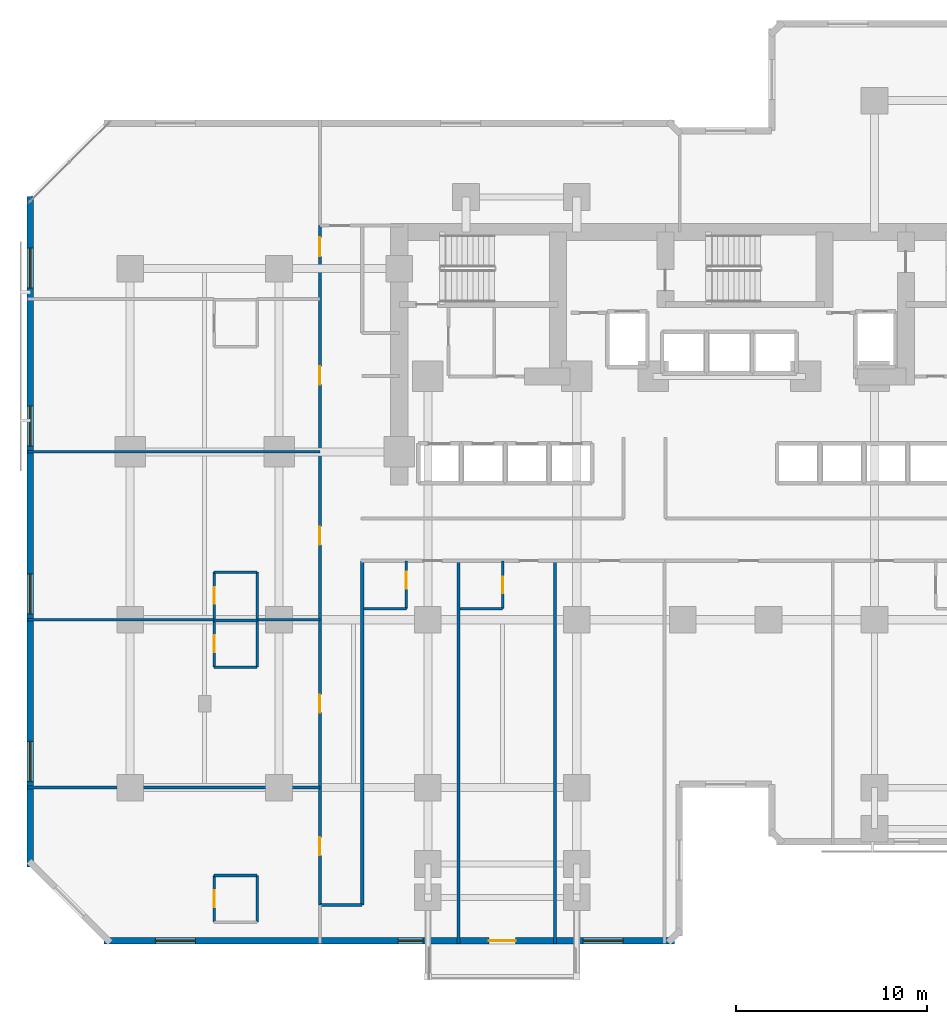
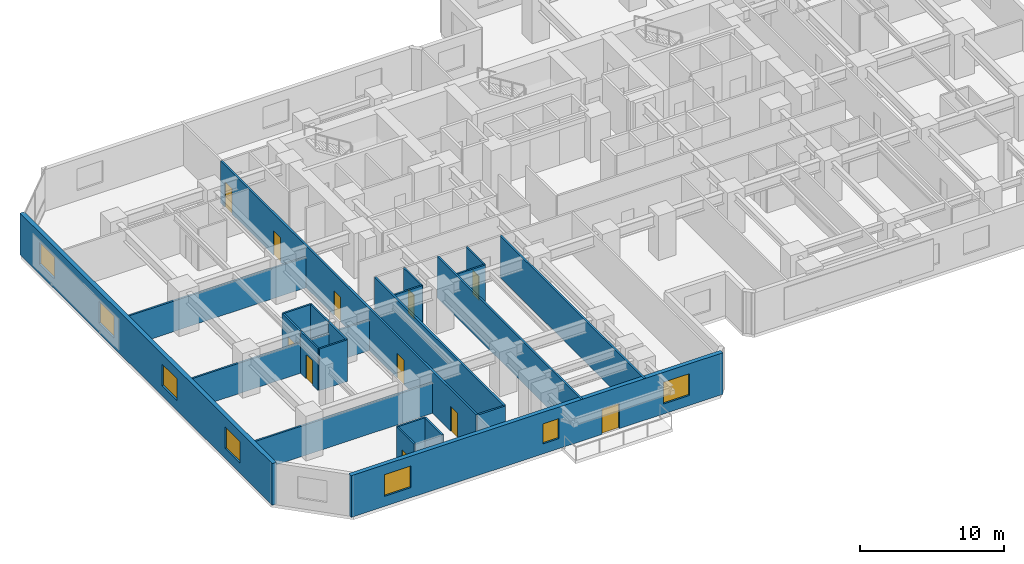
# One storey, part 5 of 12: 25 walls, 11 doors, 7 windows, 18 openings.
"""IFC4 building model written with IfcOpenShell, lengths in metres."""

from ifc_helpers import new_model, si_unit, direction, frame, frame_2d, origin, place, context, subcontext, project, spatial, rectangle, extrude, material, layer, layer_set, type_object, element, fill, save


model = new_model("IFC4")

# Units and contexts
model_context = context("Model", 3, precision=1e-05, world=origin(), true_north=direction((0.0, 1.0)))
body_context = subcontext(model_context, "Body", "Model", "MODEL_VIEW")
ifc_project = project(units=[si_unit("LENGTHUNIT", "METRE"), si_unit("AREAUNIT", "SQUARE_METRE"), si_unit("VOLUMEUNIT", "CUBIC_METRE"), si_unit("PLANEANGLEUNIT", "RADIAN"), si_unit("MASSUNIT", "GRAM", prefix="KILO")], contexts=[model_context])

# Site, building, storey
site_placement = place(None, origin())
site = spatial("IfcSite", under=ifc_project, at=site_placement, CompositionType="ELEMENT")
building_placement = place(site_placement, origin())
building = spatial("IfcBuilding", under=site, at=building_placement, Name="Kestravale Grand Hotel", CompositionType="ELEMENT")
storey_placement = place(building_placement, frame((0.0, 0.0, 48.800048828125)))
storey = spatial("IfcBuildingStorey", under=building, at=storey_placement, Name="L11", CompositionType="ELEMENT", Elevation=48.800048828125)

# Wall, openings, door, windows
ifc_material_1 = material(Name="Precast concrete f'c 45 MPa", Category="concrete")
ifc_layer_1 = layer(ifc_material_1, 0.340087890625)
ifc_layer_set_1 = layer_set([ifc_layer_1], Name="EW-PREC-340")
wall_type_1 = type_object("IfcWallType", Name="EW-PREC-340", PredefinedType="SOLIDWALL", material=ifc_layer_set_1)
wall_1_placement = place(storey_placement, frame((6.429931640625, 3.169921875, 0.0), z_axis=(0.0, 0.0, 1.0), x_axis=(1.0, 0.0, 0.0)))
wall_1 = element("IfcWall", 1, at=wall_1_placement, inside=storey, type_object=wall_type_1, Name="L11 fluted precast facade wall 1", PredefinedType="SOLIDWALL", context=body_context, shape_type="SweptSolid", body=[
    extrude(rectangle(XDim=29.89013671875, YDim=0.340087890625, at=frame_2d((14.945068359375, 0.0))), origin(), (0.0, 0.0, 1.0), 3.5400390625),
])
opening_1_placement = place(wall_1_placement, frame((20.169921875, 0.0, 0.0)))
opening_1 = element("IfcOpeningElement", 2, at=opening_1_placement, cuts=wall_1, Name="Opening D-TERR-1400", PredefinedType="OPENING", context=body_context, shape_type="SweptSolid", body=[
    extrude(rectangle(XDim=1.39990234375, YDim=2.14990234375, at=frame_2d((0.699951171875, 1.074951171875))), frame((0.0, 0.179931640625, 0.0), z_axis=(0.0, -1.0, 0.0), x_axis=(1.0, 0.0, 0.0)), (0.0, 0.0, 1.0), 0.360107421875),
])
opening_2_placement = place(wall_1_placement, frame((2.686279296875, 0.0, 0.85009765625)))
opening_2 = element("IfcOpeningElement", 3, at=opening_2_placement, cuts=wall_1, Name="Opening W-GUEST-2100", PredefinedType="OPENING", context=body_context, shape_type="SweptSolid", body=[
    extrude(rectangle(XDim=2.10009765625, YDim=1.85009765625, at=frame_2d((1.050048828125, 0.925048828125))), frame((0.0, 0.179931640625, 0.0), z_axis=(0.0, -1.0, 0.0), x_axis=(1.0, 0.0, 0.0)), (0.0, 0.0, 1.0), 0.360107421875),
])
opening_3_placement = place(wall_1_placement, frame((25.103759765625, 0.0, 0.85009765625)))
opening_3 = element("IfcOpeningElement", 4, at=opening_3_placement, cuts=wall_1, Name="Opening W-GUEST-2100", PredefinedType="OPENING", context=body_context, shape_type="SweptSolid", body=[
    extrude(rectangle(XDim=2.10009765625, YDim=1.85009765625, at=frame_2d((1.050048828125, 0.925048828125))), frame((0.0, 0.179931640625, 0.0), z_axis=(0.0, -1.0, 0.0), x_axis=(1.0, 0.0, 0.0)), (0.0, 0.0, 1.0), 0.360107421875),
])
opening_4_placement = place(wall_1_placement, frame((15.405029296875, 0.0, 0.85009765625)))
opening_4 = element("IfcOpeningElement", 5, at=opening_4_placement, cuts=wall_1, Name="Opening W-GUEST-1300", PredefinedType="OPENING", context=body_context, shape_type="SweptSolid", body=[
    extrude(rectangle(XDim=1.300048828125, YDim=1.699951171875, at=frame_2d((0.64990234375, 0.85009765625))), frame((0.0, 0.179931640625, 0.0), z_axis=(0.0, -1.0, 0.0), x_axis=(1.0, 0.0, 0.0)), (0.0, 0.0, 1.0), 0.360107421875),
])
ifc_material_2 = material(Name="Insulated glazed champagne-bronze aluminium door", Category="aluminium")
door_type_1 = type_object("IfcDoorType", Name="D-TERR-1400", OperationType="NOTDEFINED", PredefinedType="DOOR", material=ifc_material_2)
door_1_placement = place(opening_1_placement, origin())
door_1 = element("IfcDoor", 6, at=door_1_placement, inside=storey, type_object=door_type_1, Name="L11 outdoor garden terrace door", OperationType="DOUBLE_DOOR_SINGLE_SWING", OverallHeight=2.14990234375, OverallWidth=1.39990234375, PredefinedType="DOOR", context=body_context, shape_type="SweptSolid", body=[
    extrude(rectangle(XDim=1.39990234375, YDim=2.14990234375, at=frame_2d((0.699951171875, 1.074951171875))), frame((0.0, 0.02490234375, 0.0), z_axis=(0.0, -1.0, 0.0), x_axis=(1.0, 0.0, 0.0)), (0.0, 0.0, 1.0), 0.050048828125),
])
fill(opening_1, door_1)
ifc_material_3 = material(Name="Insulated low-E double glazing in aluminium frame", Category="aluminium")
window_type_1 = type_object("IfcWindowType", Name="W-GUEST-1300", PartitioningType="SINGLE_PANEL", PredefinedType="WINDOW", material=ifc_material_3)
window_1_placement = place(opening_4_placement, origin())
window_1 = element("IfcWindow", 7, at=window_1_placement, inside=storey, type_object=window_type_1, Name="L11 guestroom envelope window 1", OverallHeight=1.699951171875, OverallWidth=1.300048828125, PartitioningType="SINGLE_PANEL", PredefinedType="WINDOW", context=body_context, shape_type="SweptSolid", body=[
    extrude(rectangle(XDim=1.300048828125, YDim=1.699951171875, at=frame_2d((0.64990234375, 0.85009765625))), frame((0.0, 0.030029296875, 0.0), z_axis=(0.0, -1.0, 0.0), x_axis=(1.0, 0.0, 0.0)), (0.0, 0.0, 1.0), 0.06005859375),
])
fill(opening_4, window_1)
ifc_material_4 = material(Name="Insulated low-E double glazing in aluminium frame", Category="aluminium")
window_type_2 = type_object("IfcWindowType", Name="W-GUEST-2100", PartitioningType="DOUBLE_PANEL_VERTICAL", PredefinedType="WINDOW", material=ifc_material_4)
window_2_placement = place(opening_2_placement, origin())
window_2 = element("IfcWindow", 8, at=window_2_placement, inside=storey, type_object=window_type_2, Name="L11 exterior window 1.1", OverallHeight=1.85009765625, OverallWidth=2.10009765625, PartitioningType="SINGLE_PANEL", PredefinedType="WINDOW", context=body_context, shape_type="SweptSolid", body=[
    extrude(rectangle(XDim=2.10009765625, YDim=1.85009765625, at=frame_2d((1.050048828125, 0.925048828125))), frame((0.0, 0.030029296875, 0.0), z_axis=(0.0, -1.0, 0.0), x_axis=(1.0, 0.0, 0.0)), (0.0, 0.0, 1.0), 0.06005859375),
])
fill(opening_2, window_2)
window_3_placement = place(opening_3_placement, origin())
window_3 = element("IfcWindow", 9, at=window_3_placement, inside=storey, type_object=window_type_2, Name="L11 exterior window 1.2", OverallHeight=1.85009765625, OverallWidth=2.10009765625, PartitioningType="SINGLE_PANEL", PredefinedType="WINDOW", context=body_context, shape_type="SweptSolid", body=[
    extrude(rectangle(XDim=2.10009765625, YDim=1.85009765625, at=frame_2d((1.050048828125, 0.925048828125))), frame((0.0, 0.030029296875, 0.0), z_axis=(0.0, -1.0, 0.0), x_axis=(1.0, 0.0, 0.0)), (0.0, 0.0, 1.0), 0.06005859375),
])
fill(opening_3, window_3)

# Wall, openings, windows
wall_2_placement = place(storey_placement, frame((2.570068359375, 42.169921875, 0.0), z_axis=(0.0, 0.0, 1.0), x_axis=(0.0, -1.0, 0.0)))
wall_2 = element("IfcWall", 10, at=wall_2_placement, inside=storey, type_object=wall_type_1, Name="L11 fluted precast facade wall 19", PredefinedType="SOLIDWALL", context=body_context, shape_type="SweptSolid", body=[
    extrude(rectangle(XDim=35.139892578125, YDim=0.340087890625, at=frame_2d((17.56982421875, 0.0))), origin(), (0.0, 0.0, 1.0), 3.5400390625),
])
opening_5_placement = place(wall_2_placement, frame((2.6923828125, 0.0, 0.85009765625)))
opening_5 = element("IfcOpeningElement", 11, at=opening_5_placement, cuts=wall_2, Name="Opening W-GUEST-2100", PredefinedType="OPENING", context=body_context, shape_type="SweptSolid", body=[
    extrude(rectangle(XDim=2.10009765625, YDim=1.85009765625, at=frame_2d((1.050048828125, 0.925048828125))), frame((0.0, 0.179931640625, 0.0), z_axis=(0.0, -1.0, 0.0), x_axis=(1.0, 0.0, 0.0)), (0.0, 0.0, 1.0), 0.360107421875),
])
opening_6_placement = place(wall_2_placement, frame((10.9775390625, 0.0, 0.85009765625)))
opening_6 = element("IfcOpeningElement", 12, at=opening_6_placement, cuts=wall_2, Name="Opening W-GUEST-2100", PredefinedType="OPENING", context=body_context, shape_type="SweptSolid", body=[
    extrude(rectangle(XDim=2.10009765625, YDim=1.85009765625, at=frame_2d((1.050048828125, 0.925048828125))), frame((0.0, 0.179931640625, 0.0), z_axis=(0.0, -1.0, 0.0), x_axis=(1.0, 0.0, 0.0)), (0.0, 0.0, 1.0), 0.360107421875),
])
opening_7_placement = place(wall_2_placement, frame((19.762451171875, 0.0, 0.85009765625)))
opening_7 = element("IfcOpeningElement", 13, at=opening_7_placement, cuts=wall_2, Name="Opening W-GUEST-2100", PredefinedType="OPENING", context=body_context, shape_type="SweptSolid", body=[
    extrude(rectangle(XDim=2.10009765625, YDim=1.85009765625, at=frame_2d((1.050048828125, 0.925048828125))), frame((0.0, 0.179931640625, 0.0), z_axis=(0.0, -1.0, 0.0), x_axis=(1.0, 0.0, 0.0)), (0.0, 0.0, 1.0), 0.360107421875),
])
opening_8_placement = place(wall_2_placement, frame((28.547607421875, 0.0, 0.85009765625)))
opening_8 = element("IfcOpeningElement", 14, at=opening_8_placement, cuts=wall_2, Name="Opening W-GUEST-2100", PredefinedType="OPENING", context=body_context, shape_type="SweptSolid", body=[
    extrude(rectangle(XDim=2.10009765625, YDim=1.85009765625, at=frame_2d((1.050048828125, 0.925048828125))), frame((0.0, 0.179931640625, 0.0), z_axis=(0.0, -1.0, 0.0), x_axis=(1.0, 0.0, 0.0)), (0.0, 0.0, 1.0), 0.360107421875),
])
window_4_placement = place(opening_5_placement, origin())
window_4 = element("IfcWindow", 15, at=window_4_placement, inside=storey, type_object=window_type_2, Name="L11 exterior window 19.1", OverallHeight=1.85009765625, OverallWidth=2.10009765625, PartitioningType="SINGLE_PANEL", PredefinedType="WINDOW", context=body_context, shape_type="SweptSolid", body=[
    extrude(rectangle(XDim=2.10009765625, YDim=1.85009765625, at=frame_2d((1.050048828125, 0.925048828125))), frame((0.0, 0.030029296875, 0.0), z_axis=(0.0, -1.0, 0.0), x_axis=(1.0, 0.0, 0.0)), (0.0, 0.0, 1.0), 0.06005859375),
])
fill(opening_5, window_4)
window_5_placement = place(opening_6_placement, origin())
window_5 = element("IfcWindow", 16, at=window_5_placement, inside=storey, type_object=window_type_2, Name="L11 exterior window 19.2", OverallHeight=1.85009765625, OverallWidth=2.10009765625, PartitioningType="SINGLE_PANEL", PredefinedType="WINDOW", context=body_context, shape_type="SweptSolid", body=[
    extrude(rectangle(XDim=2.10009765625, YDim=1.85009765625, at=frame_2d((1.050048828125, 0.925048828125))), frame((0.0, 0.030029296875, 0.0), z_axis=(0.0, -1.0, 0.0), x_axis=(1.0, 0.0, 0.0)), (0.0, 0.0, 1.0), 0.06005859375),
])
fill(opening_6, window_5)
window_6_placement = place(opening_7_placement, origin())
window_6 = element("IfcWindow", 17, at=window_6_placement, inside=storey, type_object=window_type_2, Name="L11 exterior window 19.3", OverallHeight=1.85009765625, OverallWidth=2.10009765625, PartitioningType="SINGLE_PANEL", PredefinedType="WINDOW", context=body_context, shape_type="SweptSolid", body=[
    extrude(rectangle(XDim=2.10009765625, YDim=1.85009765625, at=frame_2d((1.050048828125, 0.925048828125))), frame((0.0, 0.030029296875, 0.0), z_axis=(0.0, -1.0, 0.0), x_axis=(1.0, 0.0, 0.0)), (0.0, 0.0, 1.0), 0.06005859375),
])
fill(opening_7, window_6)
window_7_placement = place(opening_8_placement, origin())
window_7 = element("IfcWindow", 18, at=window_7_placement, inside=storey, type_object=window_type_2, Name="L11 exterior window 19.4", OverallHeight=1.85009765625, OverallWidth=2.10009765625, PartitioningType="SINGLE_PANEL", PredefinedType="WINDOW", context=body_context, shape_type="SweptSolid", body=[
    extrude(rectangle(XDim=2.10009765625, YDim=1.85009765625, at=frame_2d((1.050048828125, 0.925048828125))), frame((0.0, 0.030029296875, 0.0), z_axis=(0.0, -1.0, 0.0), x_axis=(1.0, 0.0, 0.0)), (0.0, 0.0, 1.0), 0.06005859375),
])
fill(opening_8, window_7)

# Wall, openings, doors
ifc_material_5 = material(Name="Acoustic fire-rated gypsum board partition", Category="other")
ifc_layer_2 = layer(ifc_material_5, 0.159912109375)
ifc_layer_set_2 = layer_set([ifc_layer_2], Name="IW-CORR-160")
wall_type_2 = type_object("IfcWallType", Name="IW-CORR-160", PredefinedType="PARTITIONING", material=ifc_layer_set_2)
wall_3_placement = place(storey_placement, frame((17.739990234375, 5.050048828125, 0.0), z_axis=(0.0, 0.0, 1.0), x_axis=(0.0, 1.0, 0.0)))
wall_3 = element("IfcWall", 19, at=wall_3_placement, inside=storey, type_object=wall_type_2, Name="W-L11-SW-W", PredefinedType="PARTITIONING", context=body_context, shape_type="SweptSolid", body=[
    extrude(rectangle(XDim=35.599853515625, YDim=0.159912109375, at=frame_2d((17.7998046875, 0.0))), origin(), (0.0, 0.0, 1.0), 3.5400390625),
])
opening_9_placement = place(wall_3_placement, frame((2.60009765625, 0.0, 0.0)))
opening_9 = element("IfcOpeningElement", 20, at=opening_9_placement, cuts=wall_3, Name="Opening D-GUEST-950", PredefinedType="OPENING", context=body_context, shape_type="SweptSolid", body=[
    extrude(rectangle(XDim=0.949951171875, YDim=2.10009765625, at=frame_2d((0.47509765625, 1.050048828125))), frame((0.0, 0.08984375, 0.0), z_axis=(0.0, -1.0, 0.0), x_axis=(1.0, 0.0, 0.0)), (0.0, 0.0, 1.0), 0.179931640625),
])
opening_10_placement = place(wall_3_placement, frame((10.074951171875, 0.0, 0.0)))
opening_10 = element("IfcOpeningElement", 21, at=opening_10_placement, cuts=wall_3, Name="Opening D-GUEST-950", PredefinedType="OPENING", context=body_context, shape_type="SweptSolid", body=[
    extrude(rectangle(XDim=0.949951171875, YDim=2.10009765625, at=frame_2d((0.47509765625, 1.050048828125))), frame((0.0, 0.08984375, 0.0), z_axis=(0.0, -1.0, 0.0), x_axis=(1.0, 0.0, 0.0)), (0.0, 0.0, 1.0), 0.179931640625),
])
opening_11_placement = place(wall_3_placement, frame((18.875, 0.0, 0.0)))
opening_11 = element("IfcOpeningElement", 22, at=opening_11_placement, cuts=wall_3, Name="Opening D-GUEST-950", PredefinedType="OPENING", context=body_context, shape_type="SweptSolid", body=[
    extrude(rectangle(XDim=0.949951171875, YDim=2.10009765625, at=frame_2d((0.47509765625, 1.050048828125))), frame((0.0, 0.08984375, 0.0), z_axis=(0.0, -1.0, 0.0), x_axis=(1.0, 0.0, 0.0)), (0.0, 0.0, 1.0), 0.179931640625),
])
opening_12_placement = place(wall_3_placement, frame((27.27490234375, 0.0, 0.0)))
opening_12 = element("IfcOpeningElement", 23, at=opening_12_placement, cuts=wall_3, Name="Opening D-GUEST-950", PredefinedType="OPENING", context=body_context, shape_type="SweptSolid", body=[
    extrude(rectangle(XDim=0.949951171875, YDim=2.10009765625, at=frame_2d((0.47509765625, 1.050048828125))), frame((0.0, 0.08984375, 0.0), z_axis=(0.0, -1.0, 0.0), x_axis=(1.0, 0.0, 0.0)), (0.0, 0.0, 1.0), 0.179931640625),
])
opening_13_placement = place(wall_3_placement, frame((33.985595703125, 0.0, 0.0)))
opening_13 = element("IfcOpeningElement", 24, at=opening_13_placement, cuts=wall_3, Name="Opening D-GUEST-1000", PredefinedType="OPENING", context=body_context, shape_type="SweptSolid", body=[
    extrude(rectangle(XDim=1.0, YDim=2.14990234375, at=frame_2d((0.5, 1.074951171875))), frame((0.0, 0.08984375, 0.0), z_axis=(0.0, -1.0, 0.0), x_axis=(1.0, 0.0, 0.0)), (0.0, 0.0, 1.0), 0.179931640625),
])
ifc_material_6 = material(Name="Accessible walnut veneer hotel entrance fire door", Category="wood")
door_type_2 = type_object("IfcDoorType", Name="D-GUEST-1000", OperationType="NOTDEFINED", PredefinedType="DOOR", material=ifc_material_6)
door_2_placement = place(opening_13_placement, origin())
door_2 = element("IfcDoor", 25, at=door_2_placement, inside=storey, type_object=door_type_2, Name="D-L11-AMWW", OperationType="SINGLE_SWING_LEFT", OverallHeight=2.14990234375, OverallWidth=1.0, PredefinedType="DOOR", context=body_context, shape_type="SweptSolid", body=[
    extrude(rectangle(XDim=1.0, YDim=2.14990234375, at=frame_2d((0.5, 1.074951171875))), frame((0.0, 0.02490234375, 0.0), z_axis=(0.0, -1.0, 0.0), x_axis=(1.0, 0.0, 0.0)), (0.0, 0.0, 1.0), 0.050048828125),
])
fill(opening_13, door_2)
ifc_material_7 = material(Name="Walnut veneer hotel guestroom entrance fire door", Category="wood")
door_type_3 = type_object("IfcDoorType", Name="D-GUEST-950", OperationType="NOTDEFINED", PredefinedType="DOOR", material=ifc_material_7)
door_3_placement = place(opening_9_placement, origin())
door_3 = element("IfcDoor", 26, at=door_3_placement, inside=storey, type_object=door_type_3, Name="D-L11-U05-ENT", OperationType="SINGLE_SWING_RIGHT", OverallHeight=2.10009765625, OverallWidth=0.949951171875, PredefinedType="DOOR", context=body_context, shape_type="SweptSolid", body=[
    extrude(rectangle(XDim=0.949951171875, YDim=2.10009765625, at=frame_2d((0.47509765625, 1.050048828125))), frame((0.0, 0.02490234375, 0.0), z_axis=(0.0, -1.0, 0.0), x_axis=(1.0, 0.0, 0.0)), (0.0, 0.0, 1.0), 0.050048828125),
])
fill(opening_9, door_3)
door_4_placement = place(opening_10_placement, origin())
door_4 = element("IfcDoor", 27, at=door_4_placement, inside=storey, type_object=door_type_3, Name="D-L11-U06-ENT", OperationType="SINGLE_SWING_RIGHT", OverallHeight=2.10009765625, OverallWidth=0.949951171875, PredefinedType="DOOR", context=body_context, shape_type="SweptSolid", body=[
    extrude(rectangle(XDim=0.949951171875, YDim=2.10009765625, at=frame_2d((0.47509765625, 1.050048828125))), frame((0.0, 0.02490234375, 0.0), z_axis=(0.0, -1.0, 0.0), x_axis=(1.0, 0.0, 0.0)), (0.0, 0.0, 1.0), 0.050048828125),
])
fill(opening_10, door_4)
door_5_placement = place(opening_11_placement, origin())
door_5 = element("IfcDoor", 28, at=door_5_placement, inside=storey, type_object=door_type_3, Name="D-L11-U07-ENT", OperationType="SINGLE_SWING_RIGHT", OverallHeight=2.10009765625, OverallWidth=0.949951171875, PredefinedType="DOOR", context=body_context, shape_type="SweptSolid", body=[
    extrude(rectangle(XDim=0.949951171875, YDim=2.10009765625, at=frame_2d((0.47509765625, 1.050048828125))), frame((0.0, 0.02490234375, 0.0), z_axis=(0.0, -1.0, 0.0), x_axis=(1.0, 0.0, 0.0)), (0.0, 0.0, 1.0), 0.050048828125),
])
fill(opening_11, door_5)
door_6_placement = place(opening_12_placement, origin())
door_6 = element("IfcDoor", 29, at=door_6_placement, inside=storey, type_object=door_type_3, Name="D-L11-U08-ENT", OperationType="SINGLE_SWING_RIGHT", OverallHeight=2.10009765625, OverallWidth=0.949951171875, PredefinedType="DOOR", context=body_context, shape_type="SweptSolid", body=[
    extrude(rectangle(XDim=0.949951171875, YDim=2.10009765625, at=frame_2d((0.47509765625, 1.050048828125))), frame((0.0, 0.02490234375, 0.0), z_axis=(0.0, -1.0, 0.0), x_axis=(1.0, 0.0, 0.0)), (0.0, 0.0, 1.0), 0.050048828125),
])
fill(opening_12, door_6)

# Wall
wall_4_placement = place(storey_placement, frame((19.9599609375, 5.050048828125, 0.0), z_axis=(0.0, 0.0, 1.0), x_axis=(0.0, 1.0, 0.0)))
element("IfcWall", 30, at=wall_4_placement, inside=storey, type_object=wall_type_2, Name="W-L11-SW-E", PredefinedType="PARTITIONING", context=body_context, shape_type="SweptSolid", body=[
    extrude(rectangle(XDim=18.0400390625, YDim=0.159912109375, at=frame_2d((9.02001953125, 0.0))), origin(), (0.0, 0.0, 1.0), 3.5400390625),
])

# Wall, opening, door
ifc_material_8 = material(Name="Moisture-resistant tile-backer plumbing chase wall", Category="other")
ifc_layer_3 = layer(ifc_material_8, 0.139892578125)
ifc_layer_set_3 = layer_set([ifc_layer_3], Name="IW-PLB-140")
wall_type_3 = type_object("IfcWallType", Name="IW-PLB-140", PredefinedType="PLUMBINGWALL", material=ifc_layer_set_3)
wall_5_placement = place(storey_placement, frame((22.27001953125, 20.580078125, 0.0), z_axis=(0.0, 0.0, 1.0), x_axis=(0.0, 1.0, 0.0)))
wall_5 = element("IfcWall", 31, at=wall_5_placement, inside=storey, type_object=wall_type_3, Name="W-L11-U01-BE", PredefinedType="PLUMBINGWALL", context=body_context, shape_type="SweptSolid", body=[
    extrude(rectangle(XDim=2.489990234375, YDim=0.139892578125, at=frame_2d((1.2451171875, 0.0))), origin(), (0.0, 0.0, 1.0), 3.5400390625),
])
opening_14_placement = place(wall_5_placement, frame((1.055908203125, 0.0, 0.0)))
opening_14 = element("IfcOpeningElement", 32, at=opening_14_placement, cuts=wall_5, Name="Opening D-BATH-880", PredefinedType="OPENING", context=body_context, shape_type="SweptSolid", body=[
    extrude(rectangle(XDim=0.8798828125, YDim=2.050048828125, at=frame_2d((0.43994140625, 1.02490234375))), frame((0.0, 0.079833984375, 0.0), z_axis=(0.0, -1.0, 0.0), x_axis=(1.0, 0.0, 0.0)), (0.0, 0.0, 1.0), 0.159912109375),
])
ifc_material_9 = material(Name="Moisture-sealed walnut en-suite bathroom door", Category="wood")
door_type_4 = type_object("IfcDoorType", Name="D-BATH-880", OperationType="NOTDEFINED", PredefinedType="DOOR", material=ifc_material_9)
door_7_placement = place(opening_14_placement, origin())
door_7 = element("IfcDoor", 33, at=door_7_placement, inside=storey, type_object=door_type_4, Name="D-L11-U01-BATH", OperationType="SINGLE_SWING_LEFT", OverallHeight=2.050048828125, OverallWidth=0.8798828125, PredefinedType="DOOR", context=body_context, shape_type="SweptSolid", body=[
    extrude(rectangle(XDim=0.8798828125, YDim=2.050048828125, at=frame_2d((0.43994140625, 1.02490234375))), frame((0.0, 0.02490234375, 0.0), z_axis=(0.0, -1.0, 0.0), x_axis=(1.0, 0.0, 0.0)), (0.0, 0.0, 1.0), 0.050048828125),
])
fill(opening_14, door_7)

# Wall
wall_6_placement = place(storey_placement, frame((20.02001953125, 20.580078125, 0.0), z_axis=(0.0, 0.0, 1.0), x_axis=(1.0, 0.0, 0.0)))
element("IfcWall", 34, at=wall_6_placement, inside=storey, type_object=wall_type_3, Name="W-L11-U01-BS", PredefinedType="PLUMBINGWALL", context=body_context, shape_type="SweptSolid", body=[
    extrude(rectangle(XDim=2.25, YDim=0.139892578125, at=frame_2d((1.125, 0.0))), origin(), (0.0, 0.0, 1.0), 3.5400390625),
])

# Wall, opening, door
wall_7_placement = place(storey_placement, frame((27.320068359375, 20.580078125, 0.0), z_axis=(0.0, 0.0, 1.0), x_axis=(0.0, 1.0, 0.0)))
wall_7 = element("IfcWall", 35, at=wall_7_placement, inside=storey, type_object=wall_type_3, Name="W-L11-U02-BE", PredefinedType="PLUMBINGWALL", context=body_context, shape_type="SweptSolid", body=[
    extrude(rectangle(XDim=2.489990234375, YDim=0.139892578125, at=frame_2d((1.2451171875, 0.0))), origin(), (0.0, 0.0, 1.0), 3.5400390625),
])
opening_15_placement = place(wall_7_placement, frame((0.804931640625, 0.0, 0.0)))
opening_15 = element("IfcOpeningElement", 36, at=opening_15_placement, cuts=wall_7, Name="Opening D-BATH-880", PredefinedType="OPENING", context=body_context, shape_type="SweptSolid", body=[
    extrude(rectangle(XDim=0.8798828125, YDim=2.050048828125, at=frame_2d((0.43994140625, 1.02490234375))), frame((0.0, 0.079833984375, 0.0), z_axis=(0.0, -1.0, 0.0), x_axis=(1.0, 0.0, 0.0)), (0.0, 0.0, 1.0), 0.159912109375),
])
door_8_placement = place(opening_15_placement, origin())
door_8 = element("IfcDoor", 37, at=door_8_placement, inside=storey, type_object=door_type_4, Name="D-L11-U02-BATH", OperationType="SINGLE_SWING_LEFT", OverallHeight=2.050048828125, OverallWidth=0.8798828125, PredefinedType="DOOR", context=body_context, shape_type="SweptSolid", body=[
    extrude(rectangle(XDim=0.8798828125, YDim=2.050048828125, at=frame_2d((0.43994140625, 1.02490234375))), frame((0.0, 0.02490234375, 0.0), z_axis=(0.0, -1.0, 0.0), x_axis=(1.0, 0.0, 0.0)), (0.0, 0.0, 1.0), 0.050048828125),
])
fill(opening_15, door_8)

# Wall
wall_8_placement = place(storey_placement, frame((25.070068359375, 20.580078125, 0.0), z_axis=(0.0, 0.0, 1.0), x_axis=(1.0, 0.0, 0.0)))
element("IfcWall", 38, at=wall_8_placement, inside=storey, type_object=wall_type_3, Name="W-L11-U02-BS", PredefinedType="PLUMBINGWALL", context=body_context, shape_type="SweptSolid", body=[
    extrude(rectangle(XDim=2.25, YDim=0.139892578125, at=frame_2d((1.125, 0.0))), origin(), (0.0, 0.0, 1.0), 3.5400390625),
])

# Wall, opening, door
wall_9_placement = place(storey_placement, frame((12.199951171875, 4.14990234375, 0.0), z_axis=(0.0, 0.0, 1.0), x_axis=(0.0, 1.0, 0.0)))
wall_9 = element("IfcWall", 39, at=wall_9_placement, inside=storey, type_object=wall_type_3, Name="W-L11-U05-BW", PredefinedType="PLUMBINGWALL", context=body_context, shape_type="SweptSolid", body=[
    extrude(rectangle(XDim=2.4501953125, YDim=0.139892578125, at=frame_2d((1.22509765625, 0.0))), origin(), (0.0, 0.0, 1.0), 3.5400390625),
])
opening_16_placement = place(wall_9_placement, frame((0.784912109375, 0.0, 0.0)))
opening_16 = element("IfcOpeningElement", 40, at=opening_16_placement, cuts=wall_9, Name="Opening D-BATH-880", PredefinedType="OPENING", context=body_context, shape_type="SweptSolid", body=[
    extrude(rectangle(XDim=0.8798828125, YDim=2.050048828125, at=frame_2d((0.43994140625, 1.02490234375))), frame((0.0, 0.079833984375, 0.0), z_axis=(0.0, -1.0, 0.0), x_axis=(1.0, 0.0, 0.0)), (0.0, 0.0, 1.0), 0.159912109375),
])
door_9_placement = place(opening_16_placement, origin())
door_9 = element("IfcDoor", 41, at=door_9_placement, inside=storey, type_object=door_type_4, Name="D-L11-U05-BATH", OperationType="SINGLE_SWING_LEFT", OverallHeight=2.050048828125, OverallWidth=0.8798828125, PredefinedType="DOOR", context=body_context, shape_type="SweptSolid", body=[
    extrude(rectangle(XDim=0.8798828125, YDim=2.050048828125, at=frame_2d((0.43994140625, 1.02490234375))), frame((0.0, 0.02490234375, 0.0), z_axis=(0.0, -1.0, 0.0), x_axis=(1.0, 0.0, 0.0)), (0.0, 0.0, 1.0), 0.050048828125),
])
fill(opening_16, door_9)

# Walls
wall_10_placement = place(storey_placement, frame((14.449951171875, 4.14990234375, 0.0), z_axis=(0.0, 0.0, 1.0), x_axis=(0.0, 1.0, 0.0)))
element("IfcWall", 42, at=wall_10_placement, inside=storey, type_object=wall_type_3, Name="W-L11-U05-BE", PredefinedType="PLUMBINGWALL", context=body_context, shape_type="SweptSolid", body=[
    extrude(rectangle(XDim=2.4501953125, YDim=0.139892578125, at=frame_2d((1.22509765625, 0.0))), origin(), (0.0, 0.0, 1.0), 3.5400390625),
])
wall_11_placement = place(storey_placement, frame((12.199951171875, 6.60009765625, 0.0), z_axis=(0.0, 0.0, 1.0), x_axis=(1.0, 0.0, 0.0)))
element("IfcWall", 43, at=wall_11_placement, inside=storey, type_object=wall_type_3, Name="W-L11-U05-BN", PredefinedType="PLUMBINGWALL", context=body_context, shape_type="SweptSolid", body=[
    extrude(rectangle(XDim=2.25, YDim=0.139892578125, at=frame_2d((1.125, 0.0))), origin(), (0.0, 0.0, 1.0), 3.5400390625),
])

# Wall, opening, door
wall_12_placement = place(storey_placement, frame((12.199951171875, 17.510009765625, 0.0), z_axis=(0.0, 0.0, 1.0), x_axis=(0.0, 1.0, 0.0)))
wall_12 = element("IfcWall", 44, at=wall_12_placement, inside=storey, type_object=wall_type_3, Name="W-L11-U06-BW", PredefinedType="PLUMBINGWALL", context=body_context, shape_type="SweptSolid", body=[
    extrude(rectangle(XDim=2.449951171875, YDim=0.139892578125, at=frame_2d((1.22509765625, 0.0))), origin(), (0.0, 0.0, 1.0), 3.5400390625),
])
opening_17_placement = place(wall_12_placement, frame((0.784912109375, 0.0, 0.0)))
opening_17 = element("IfcOpeningElement", 45, at=opening_17_placement, cuts=wall_12, Name="Opening D-BATH-880", PredefinedType="OPENING", context=body_context, shape_type="SweptSolid", body=[
    extrude(rectangle(XDim=0.8798828125, YDim=2.050048828125, at=frame_2d((0.43994140625, 1.02490234375))), frame((0.0, 0.079833984375, 0.0), z_axis=(0.0, -1.0, 0.0), x_axis=(1.0, 0.0, 0.0)), (0.0, 0.0, 1.0), 0.159912109375),
])
door_10_placement = place(opening_17_placement, origin())
door_10 = element("IfcDoor", 46, at=door_10_placement, inside=storey, type_object=door_type_4, Name="D-L11-U06-BATH", OperationType="SINGLE_SWING_LEFT", OverallHeight=2.050048828125, OverallWidth=0.8798828125, PredefinedType="DOOR", context=body_context, shape_type="SweptSolid", body=[
    extrude(rectangle(XDim=0.8798828125, YDim=2.050048828125, at=frame_2d((0.43994140625, 1.02490234375))), frame((0.0, 0.02490234375, 0.0), z_axis=(0.0, -1.0, 0.0), x_axis=(1.0, 0.0, 0.0)), (0.0, 0.0, 1.0), 0.050048828125),
])
fill(opening_17, door_10)

# Walls
wall_13_placement = place(storey_placement, frame((14.449951171875, 17.510009765625, 0.0), z_axis=(0.0, 0.0, 1.0), x_axis=(0.0, 1.0, 0.0)))
element("IfcWall", 47, at=wall_13_placement, inside=storey, type_object=wall_type_3, Name="W-L11-U06-BE", PredefinedType="PLUMBINGWALL", context=body_context, shape_type="SweptSolid", body=[
    extrude(rectangle(XDim=2.449951171875, YDim=0.139892578125, at=frame_2d((1.22509765625, 0.0))), origin(), (0.0, 0.0, 1.0), 3.5400390625),
])
wall_14_placement = place(storey_placement, frame((12.199951171875, 17.510009765625, 0.0), z_axis=(0.0, 0.0, 1.0), x_axis=(1.0, 0.0, 0.0)))
element("IfcWall", 48, at=wall_14_placement, inside=storey, type_object=wall_type_3, Name="W-L11-U06-BS", PredefinedType="PLUMBINGWALL", context=body_context, shape_type="SweptSolid", body=[
    extrude(rectangle(XDim=2.25, YDim=0.139892578125, at=frame_2d((1.125, 0.0))), origin(), (0.0, 0.0, 1.0), 3.5400390625),
])
wall_15_placement = place(storey_placement, frame((12.199951171875, 19.9599609375, 0.0), z_axis=(0.0, 0.0, 1.0), x_axis=(1.0, 0.0, 0.0)))
element("IfcWall", 49, at=wall_15_placement, inside=storey, type_object=wall_type_3, Name="W-L11-U06-BN", PredefinedType="PLUMBINGWALL", context=body_context, shape_type="SweptSolid", body=[
    extrude(rectangle(XDim=2.25, YDim=0.139892578125, at=frame_2d((1.125, 0.0))), origin(), (0.0, 0.0, 1.0), 2.593017578125),
])

# Wall, opening, door
wall_16_placement = place(storey_placement, frame((12.199951171875, 20.0400390625, 0.0), z_axis=(0.0, 0.0, 1.0), x_axis=(0.0, 1.0, 0.0)))
wall_16 = element("IfcWall", 50, at=wall_16_placement, inside=storey, type_object=wall_type_3, Name="W-L11-U07-BW", PredefinedType="PLUMBINGWALL", context=body_context, shape_type="SweptSolid", body=[
    extrude(rectangle(XDim=2.449951171875, YDim=0.139892578125, at=frame_2d((1.22509765625, 0.0))), origin(), (0.0, 0.0, 1.0), 3.5400390625),
])
opening_18_placement = place(wall_16_placement, frame((0.784912109375, 0.0, 0.0)))
opening_18 = element("IfcOpeningElement", 51, at=opening_18_placement, cuts=wall_16, Name="Opening D-BATH-880", PredefinedType="OPENING", context=body_context, shape_type="SweptSolid", body=[
    extrude(rectangle(XDim=0.8798828125, YDim=2.050048828125, at=frame_2d((0.43994140625, 1.02490234375))), frame((0.0, 0.079833984375, 0.0), z_axis=(0.0, -1.0, 0.0), x_axis=(1.0, 0.0, 0.0)), (0.0, 0.0, 1.0), 0.159912109375),
])
door_11_placement = place(opening_18_placement, origin())
door_11 = element("IfcDoor", 52, at=door_11_placement, inside=storey, type_object=door_type_4, Name="D-L11-U07-BATH", OperationType="SINGLE_SWING_LEFT", OverallHeight=2.050048828125, OverallWidth=0.8798828125, PredefinedType="DOOR", context=body_context, shape_type="SweptSolid", body=[
    extrude(rectangle(XDim=0.8798828125, YDim=2.050048828125, at=frame_2d((0.43994140625, 1.02490234375))), frame((0.0, 0.02490234375, 0.0), z_axis=(0.0, -1.0, 0.0), x_axis=(1.0, 0.0, 0.0)), (0.0, 0.0, 1.0), 0.050048828125),
])
fill(opening_18, door_11)

# Walls
wall_17_placement = place(storey_placement, frame((14.449951171875, 20.0400390625, 0.0), z_axis=(0.0, 0.0, 1.0), x_axis=(0.0, 1.0, 0.0)))
element("IfcWall", 53, at=wall_17_placement, inside=storey, type_object=wall_type_3, Name="W-L11-U07-BE", PredefinedType="PLUMBINGWALL", context=body_context, shape_type="SweptSolid", body=[
    extrude(rectangle(XDim=2.449951171875, YDim=0.139892578125, at=frame_2d((1.22509765625, 0.0))), origin(), (0.0, 0.0, 1.0), 3.5400390625),
])
wall_18_placement = place(storey_placement, frame((12.199951171875, 22.489990234375, 0.0), z_axis=(0.0, 0.0, 1.0), x_axis=(1.0, 0.0, 0.0)))
element("IfcWall", 54, at=wall_18_placement, inside=storey, type_object=wall_type_3, Name="W-L11-U07-BN", PredefinedType="PLUMBINGWALL", context=body_context, shape_type="SweptSolid", body=[
    extrude(rectangle(XDim=2.25, YDim=0.139892578125, at=frame_2d((1.125, 0.0))), origin(), (0.0, 0.0, 1.0), 3.5400390625),
])
ifc_material_10 = material(Name="Double-stud STC 52 acoustic demising partition", Category="other")
ifc_layer_4 = layer(ifc_material_10, 0.14990234375)
ifc_layer_set_4 = layer_set([ifc_layer_4], Name="IW-UNIT-150")
wall_type_4 = type_object("IfcWallType", Name="IW-UNIT-150", PredefinedType="PARTITIONING", material=ifc_layer_set_4)
wall_19_placement = place(storey_placement, frame((17.739990234375, 5.050048828125, 0.0), z_axis=(0.0, 0.0, 1.0), x_axis=(1.0, 0.0, 0.0)))
element("IfcWall", 55, at=wall_19_placement, inside=storey, type_object=wall_type_4, Name="W-L11-SW-S", PredefinedType="PARTITIONING", context=body_context, shape_type="SweptSolid", body=[
    extrude(rectangle(XDim=2.219970703125, YDim=0.14990234375, at=frame_2d((1.10986328125, 0.0))), origin(), (0.0, 0.0, 1.0), 3.5400390625),
])
for number, where, z_axis, x_axis, name in (
    (56, (25.010009765625, 3.02001953125, 0.0), (0.0, 0.0, 1.0), (0.0, 1.0, 0.0), "W-L11-WS-1"),
    (57, (30.06005859375, 3.02001953125, 0.0), (0.0, 0.0, 1.0), (0.0, 1.0, 0.0), "W-L11-WS-2"),
):
    element("IfcWall", number, at=place(storey_placement, frame(where, z_axis=z_axis, x_axis=x_axis)), inside=storey, type_object=wall_type_4, Name=name, PredefinedType="PARTITIONING", context=body_context, shape_type="SweptSolid", body=[
        extrude(rectangle(XDim=20.070068359375, YDim=0.14990234375, at=frame_2d((10.03515625, 0.0))), origin(), (0.0, 0.0, 1.0), 3.5400390625),
    ])
wall_20_placement = place(storey_placement, frame((2.419921875, 11.199951171875, 0.0), z_axis=(0.0, 0.0, 1.0), x_axis=(1.0, 0.0, 0.0)))
element("IfcWall", 58, at=wall_20_placement, inside=storey, type_object=wall_type_4, Name="W-L11-WW-1", PredefinedType="PARTITIONING", context=body_context, shape_type="SweptSolid", body=[
    extrude(rectangle(XDim=15.320068359375, YDim=0.14990234375, at=frame_2d((7.66015625, 0.0))), origin(), (0.0, 0.0, 1.0), 2.593017578125),
])
wall_21_placement = place(storey_placement, frame((2.419921875, 20.0, 0.0), z_axis=(0.0, 0.0, 1.0), x_axis=(1.0, 0.0, 0.0)))
element("IfcWall", 59, at=wall_21_placement, inside=storey, type_object=wall_type_4, Name="W-L11-WW-2", PredefinedType="PARTITIONING", context=body_context, shape_type="SweptSolid", body=[
    extrude(rectangle(XDim=9.780029296875, YDim=0.14990234375, at=frame_2d((4.89013671875, 0.0))), origin(), (0.0, 0.0, 1.0), 2.593017578125),
])
wall_22_placement = place(storey_placement, frame((14.449951171875, 20.0, 0.0), z_axis=(0.0, 0.0, 1.0), x_axis=(1.0, 0.0, 0.0)))
element("IfcWall", 60, at=wall_22_placement, inside=storey, type_object=wall_type_4, Name="W-L11-WW-2", PredefinedType="PARTITIONING", context=body_context, shape_type="SweptSolid", body=[
    extrude(rectangle(XDim=3.2900390625, YDim=0.14990234375, at=frame_2d((1.64501953125, 0.0))), origin(), (0.0, 0.0, 1.0), 2.593017578125),
])
wall_23_placement = place(storey_placement, frame((2.419921875, 28.800048828125, 0.0), z_axis=(0.0, 0.0, 1.0), x_axis=(1.0, 0.0, 0.0)))
element("IfcWall", 61, at=wall_23_placement, inside=storey, type_object=wall_type_4, Name="W-L11-WW-3", PredefinedType="PARTITIONING", context=body_context, shape_type="SweptSolid", body=[
    extrude(rectangle(XDim=15.320068359375, YDim=0.14990234375, at=frame_2d((7.66015625, 0.0))), origin(), (0.0, 0.0, 1.0), 2.593017578125),
])

save(model, "model.ifc")
